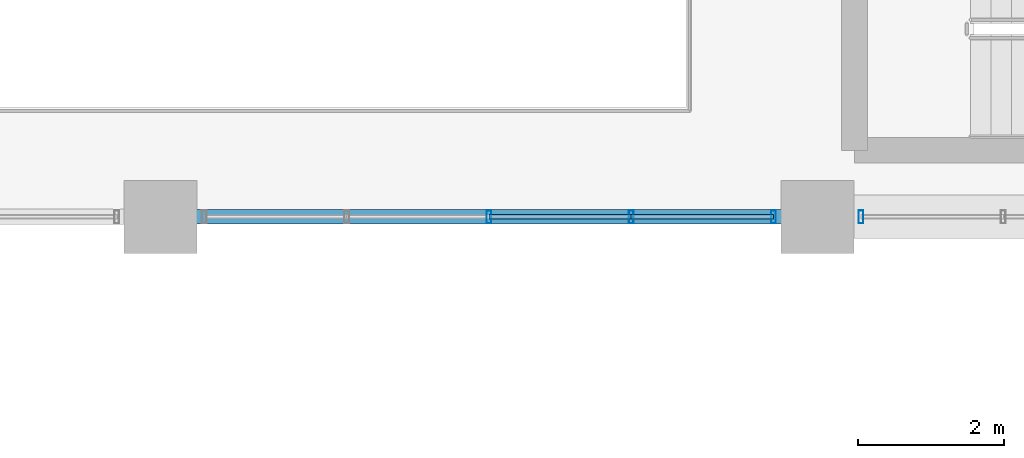
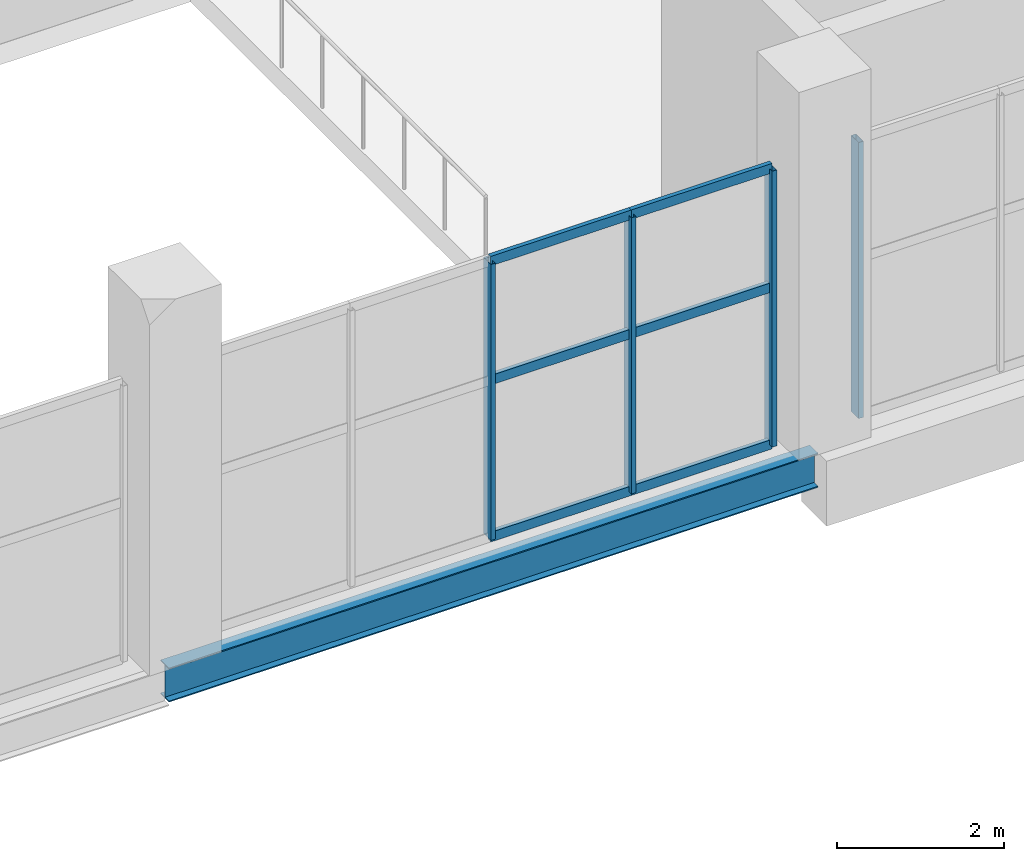
# One storey, part 16 of 147: 10 members, 1 beam, 2 elements without a shape of their own.
"""IFC4 building model written with IfcOpenShell, lengths in metres."""

from ifc_helpers import new_model, si_unit, direction, frame, origin, origin_2d, place, context, subcontext, project, spatial, hollow_rectangle, i_section, extrude, material, layer, layer_set, material_profile, profile_set, type_object, element, aggregate, save


model = new_model("IFC4")

# Units and contexts
model_context = context("Model", 3, precision=1e-05, world=origin(), true_north=direction((0.0, 1.0)))
body_context = subcontext(model_context, "Body", "Model", "MODEL_VIEW")
ifc_project = project(units=[si_unit("LENGTHUNIT", "METRE"), si_unit("AREAUNIT", "SQUARE_METRE"), si_unit("VOLUMEUNIT", "CUBIC_METRE"), si_unit("PLANEANGLEUNIT", "RADIAN"), si_unit("MASSUNIT", "GRAM", prefix="KILO")], contexts=[model_context])

# Site, building, storey
site_placement = place(None, origin())
site = spatial("IfcSite", under=ifc_project, at=site_placement, CompositionType="ELEMENT")
building_placement = place(site_placement, origin())
building = spatial("IfcBuilding", under=site, at=building_placement, Name="Sundgate Opera House", CompositionType="ELEMENT")
storey_placement = place(building_placement, frame((0.0, 0.0, 6.0)))
storey = spatial("IfcBuildingStorey", under=building, at=storey_placement, Name="L01", CompositionType="ELEMENT", Elevation=6.0)

# Beam
ifc_material_1 = material(Name="Steel S355J2", Category="steel")
ifc_material_profile_1 = material_profile(ifc_material_1, i_section(OverallWidth=0.199951171875, OverallDepth=0.5, WebThickness=0.01025390625, FlangeThickness=0.01611328125, at=origin_2d()), Name="IPE 500")
ifc_profile_set_1 = profile_set([ifc_material_profile_1], Name="Steel S355J2")
beam_type = type_object("IfcBeamType", Name="BM-GR-IPE500", PredefinedType="BEAM", material=ifc_profile_set_1)
beam_placement = place(storey_placement, frame((54.0, 42.0, -0.550048828125), z_axis=(1.0, 0.0, 0.0), x_axis=(0.0, 1.0, 0.0)))
element("IfcBeam", 1, at=beam_placement, inside=storey, type_object=beam_type, Name="L01 Primary E-W Girder B1330", PredefinedType="BEAM", context=body_context, shape_type="SweptSolid", body=[
    extrude(i_section(OverallWidth=0.199951171875, OverallDepth=0.5, WebThickness=0.01025390625, FlangeThickness=0.01611328125, at=origin_2d()), origin(), (0.0, 0.0, 1.0), 9.0),
])

# Curtain wall, members
ifc_material_2 = material(Name="Anodized aluminium and low-iron glass", Category="aluminium")
ifc_layer = layer(ifc_material_2, 0.179931640625)
ifc_layer_set = layer_set([ifc_layer], Name="Anodized aluminium and low-iron glass")
curtain_wall_type = type_object("IfcCurtainWallType", Name="CW-FOYER-GLASS", PredefinedType="NOTDEFINED", material=ifc_layer_set)
curtain_wall_1_placement = place(storey_placement, origin())
curtain_wall_1 = element("IfcCurtainWall", 2, at=curtain_wall_1_placement, inside=storey, type_object=curtain_wall_type, Name="L01 Curtain Wall CW013", PredefinedType="NOTDEFINED")
ifc_material_3 = material(Name="Anodized aluminium EN AW-6063", Category="aluminium")
ifc_material_profile_2 = material_profile(ifc_material_3, hollow_rectangle(XDim=0.06494140625, YDim=0.179931640625, WallThickness=0.00390625, at=origin_2d()), Name="CWM 180x65x4")
ifc_profile_set_2 = profile_set([ifc_material_profile_2], Name="Anodized aluminium EN AW-6063")
member_type_1 = type_object("IfcMemberType", Name="CWM-ALU-180x65", PredefinedType="MULLION", material=ifc_profile_set_2)
member_1_placement = place(storey_placement, frame((62.39990234375, 42.0, 0.0), z_axis=(0.0, 0.0, 1.0), x_axis=(1.0, 0.0, 0.0)))
member_1 = element("IfcMember", 3, at=member_1_placement, type_object=member_type_1, Name="CW013 Mullion 1", PredefinedType="MULLION", context=body_context, shape_type="SweptSolid", body=[
    extrude(hollow_rectangle(XDim=0.06494140625, YDim=0.179931640625, WallThickness=0.00390625, at=origin_2d()), origin(), (0.0, 0.0, 1.0), 4.044921875),
])
member_2_placement = place(storey_placement, frame((60.449951171875, 42.0, 0.0), z_axis=(0.0, 0.0, 1.0), x_axis=(1.0, 0.0, 0.0)))
member_2 = element("IfcMember", 4, at=member_2_placement, type_object=member_type_1, Name="CW013 Mullion 2", PredefinedType="MULLION", context=body_context, shape_type="SweptSolid", body=[
    extrude(hollow_rectangle(XDim=0.06494140625, YDim=0.179931640625, WallThickness=0.00390625, at=origin_2d()), origin(), (0.0, 0.0, 1.0), 4.044921875),
])
member_3_placement = place(storey_placement, frame((58.5, 42.0, 0.0), z_axis=(0.0, 0.0, 1.0), x_axis=(1.0, 0.0, 0.0)))
member_3 = element("IfcMember", 5, at=member_3_placement, type_object=member_type_1, Name="CW013 Mullion 3", PredefinedType="MULLION", context=body_context, shape_type="SweptSolid", body=[
    extrude(hollow_rectangle(XDim=0.06494140625, YDim=0.179931640625, WallThickness=0.00390625, at=origin_2d()), origin(), (0.0, 0.0, 1.0), 4.044921875),
])

# Curtain wall, member
curtain_wall_2_placement = place(storey_placement, origin())
curtain_wall_2 = element("IfcCurtainWall", 6, at=curtain_wall_2_placement, inside=storey, type_object=curtain_wall_type, Name="L01 Curtain Wall CW014", PredefinedType="NOTDEFINED")
member_4_placement = place(storey_placement, frame((63.60009765625, 42.0, 0.0), z_axis=(0.0, 0.0, 1.0), x_axis=(1.0, 0.0, 0.0)))
member_4 = element("IfcMember", 7, at=member_4_placement, type_object=member_type_1, Name="CW014 Mullion 5", PredefinedType="MULLION", context=body_context, shape_type="SweptSolid", body=[
    extrude(hollow_rectangle(XDim=0.06494140625, YDim=0.179931640625, WallThickness=0.00390625, at=origin_2d()), origin(), (0.0, 0.0, 1.0), 4.044921875),
])
aggregate(curtain_wall_2, [member_4])

# Member
ifc_material_4 = material(Name="Anodized aluminium EN AW-6063", Category="aluminium")
ifc_material_profile_3 = material_profile(ifc_material_4, hollow_rectangle(XDim=0.06005859375, YDim=0.139892578125, WallThickness=0.00390625, at=origin_2d()), Name="CWT 140x60x4")
ifc_profile_set_3 = profile_set([ifc_material_profile_3], Name="Anodized aluminium EN AW-6063")
member_type_2 = type_object("IfcMemberType", Name="CWT-ALU-140x60", PredefinedType="USERDEFINED", material=ifc_profile_set_3)
member_5_placement = place(storey_placement, frame((62.39990234375, 42.0, 0.0), z_axis=(-1.0, 0.0, 0.0), x_axis=(0.0, -1.0, 0.0)))
member_5 = element("IfcMember", 8, at=member_5_placement, type_object=member_type_2, Name="CW013 Transom 1", ObjectType="TRANSOM", PredefinedType="USERDEFINED", context=body_context, shape_type="SweptSolid", body=[
    extrude(hollow_rectangle(XDim=0.06005859375, YDim=0.139892578125, WallThickness=0.00390625, at=origin_2d()), origin(), (0.0, 0.0, 1.0), 1.949951171875),
])

member_6_placement = place(storey_placement, frame((62.39990234375, 42.0, 2.300048828125), z_axis=(-1.0, 0.0, 0.0), x_axis=(0.0, -1.0, 0.0)))
member_6 = element("IfcMember", 9, at=member_6_placement, type_object=member_type_2, Name="CW013 Transom 2", ObjectType="TRANSOM", PredefinedType="USERDEFINED", context=body_context, shape_type="SweptSolid", body=[
    extrude(hollow_rectangle(XDim=0.06005859375, YDim=0.139892578125, WallThickness=0.00390625, at=origin_2d()), origin(), (0.0, 0.0, 1.0), 1.949951171875),
])

member_7_placement = place(storey_placement, frame((62.39990234375, 42.0, 4.044921875), z_axis=(-1.0, 0.0, 0.0), x_axis=(0.0, -1.0, 0.0)))
member_7 = element("IfcMember", 10, at=member_7_placement, type_object=member_type_2, Name="CW013 Transom 3", ObjectType="TRANSOM", PredefinedType="USERDEFINED", context=body_context, shape_type="SweptSolid", body=[
    extrude(hollow_rectangle(XDim=0.06005859375, YDim=0.139892578125, WallThickness=0.00390625, at=origin_2d()), origin(), (0.0, 0.0, 1.0), 1.949951171875),
])

member_8_placement = place(storey_placement, frame((60.449951171875, 42.0, 0.0), z_axis=(-1.0, 0.0, 0.0), x_axis=(0.0, -1.0, 0.0)))
member_8 = element("IfcMember", 11, at=member_8_placement, type_object=member_type_2, Name="CW013 Transom 4", ObjectType="TRANSOM", PredefinedType="USERDEFINED", context=body_context, shape_type="SweptSolid", body=[
    extrude(hollow_rectangle(XDim=0.06005859375, YDim=0.139892578125, WallThickness=0.00390625, at=origin_2d()), origin(), (0.0, 0.0, 1.0), 1.949951171875),
])

member_9_placement = place(storey_placement, frame((60.449951171875, 42.0, 2.300048828125), z_axis=(-1.0, 0.0, 0.0), x_axis=(0.0, -1.0, 0.0)))
member_9 = element("IfcMember", 12, at=member_9_placement, type_object=member_type_2, Name="CW013 Transom 5", ObjectType="TRANSOM", PredefinedType="USERDEFINED", context=body_context, shape_type="SweptSolid", body=[
    extrude(hollow_rectangle(XDim=0.06005859375, YDim=0.139892578125, WallThickness=0.00390625, at=origin_2d()), origin(), (0.0, 0.0, 1.0), 1.949951171875),
])

member_10_placement = place(storey_placement, frame((60.449951171875, 42.0, 4.044921875), z_axis=(-1.0, 0.0, 0.0), x_axis=(0.0, -1.0, 0.0)))
member_10 = element("IfcMember", 13, at=member_10_placement, type_object=member_type_2, Name="CW013 Transom 6", ObjectType="TRANSOM", PredefinedType="USERDEFINED", context=body_context, shape_type="SweptSolid", body=[
    extrude(hollow_rectangle(XDim=0.06005859375, YDim=0.139892578125, WallThickness=0.00390625, at=origin_2d()), origin(), (0.0, 0.0, 1.0), 1.949951171875),
])

aggregate(curtain_wall_1, [member_1, member_2, member_3, member_5, member_6, member_7, member_8, member_9, member_10])

save(model, "model.ifc")
